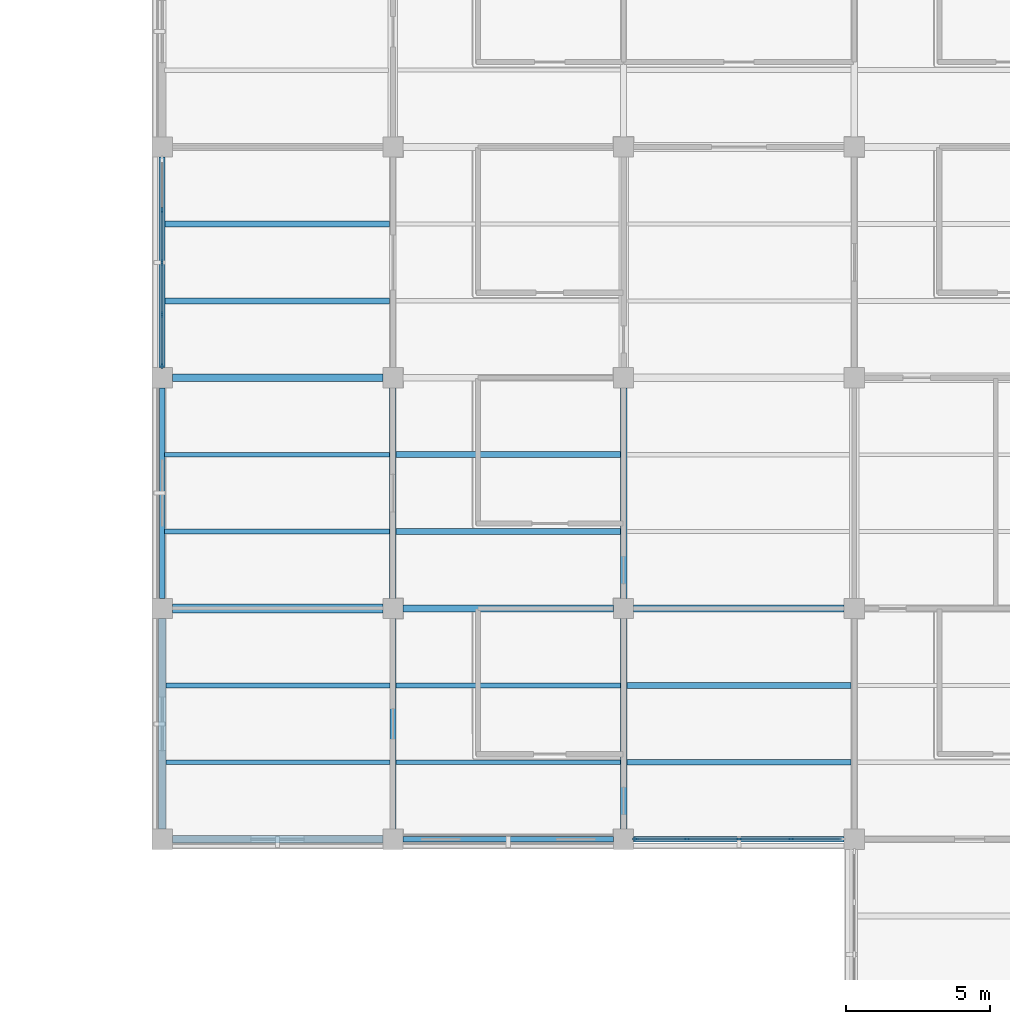
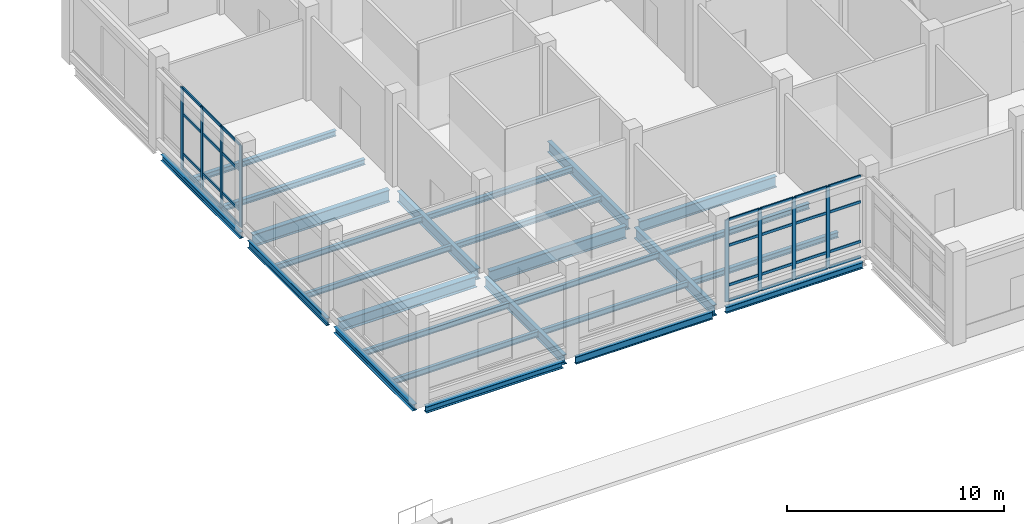
# One storey, part 33 of 105: 36 members, 26 beams, 2 elements without a shape of their own.
"""IFC4 building model written with IfcOpenShell, lengths in metres."""

from ifc_helpers import new_model, si_unit, derived_unit, direction, frame, origin, origin_2d, place, context, subcontext, project, spatial, rectangle, i_section, extrude, material, layer, layer_set, material_profile, profile_set, type_object, element, aggregate, save


model = new_model("IFC4")

# Units and contexts
model_context = context("Model", 3, precision=1e-05, world=origin(), true_north=direction((0.0, 1.0)))
body_context = subcontext(model_context, "Body", "Model", "MODEL_VIEW")
ifc_project = project(units=[si_unit("LENGTHUNIT", "METRE"), si_unit("AREAUNIT", "SQUARE_METRE"), si_unit("VOLUMEUNIT", "CUBIC_METRE"), si_unit("PLANEANGLEUNIT", "RADIAN"), si_unit("MASSUNIT", "GRAM", prefix="KILO"), derived_unit("THERMALTRANSMITTANCEUNIT", [(si_unit("MASSUNIT", "GRAM", prefix="KILO"), 1), (si_unit("TIMEUNIT", "SECOND"), -3), (si_unit("THERMODYNAMICTEMPERATUREUNIT", "KELVIN"), -1)])], contexts=[model_context])

# Site, building, storey
site_placement = place(None, origin())
site = spatial("IfcSite", under=ifc_project, at=site_placement, CompositionType="ELEMENT")
building_placement = place(site_placement, origin())
building = spatial("IfcBuilding", under=site, at=building_placement, Name="Veyamyaing Civic Hall", CompositionType="ELEMENT")
storey_placement = place(building_placement, origin())
storey = spatial("IfcBuildingStorey", under=building, at=storey_placement, Name="L00", CompositionType="ELEMENT", Elevation=0.0)

# Beams
ifc_material_1 = material(Name="Steel ASTM A992", Category="steel")
ifc_material_profile_1 = material_profile(ifc_material_1, i_section(OverallWidth=0.256103515625, OverallDepth=0.693115234375, WebThickness=0.014404296875, FlangeThickness=0.023681640625, FilletRadius=0.013916015625, at=origin_2d()), Name="W690X170")
ifc_profile_set_1 = profile_set([ifc_material_profile_1], Name="Steel ASTM A992")
beam_type_1 = type_object("IfcBeamType", Name="B-04", PredefinedType="BEAM", material=ifc_profile_set_1)
for number, where, z_axis, x_axis, name in (
    (1, (144.35009765625, 16.0, -0.611572265625), (1.0, 0.0, 0.0), (0.0, 1.0, 0.0), "Girder B-04 L00 Grid C 19-20"),
    (2, (136.35009765625, 24.0, -0.611572265625), (1.0, 0.0, 0.0), (0.0, 1.0, 0.0), "Girder B-04 L00 Grid D 18-19"),
):
    element("IfcBeam", number, at=place(storey_placement, frame(where, z_axis=z_axis, x_axis=x_axis)), inside=storey, type_object=beam_type_1, Name=name, PredefinedType="BEAM", context=body_context, shape_type="SweptSolid", body=[
        extrude(i_section(OverallWidth=0.256103515625, OverallDepth=0.693115234375, WebThickness=0.014404296875, FlangeThickness=0.023681640625, FilletRadius=0.013916015625, at=origin_2d()), origin(), (0.0, 0.0, 1.0), 7.2998046875),
    ])
ifc_material_profile_2 = material_profile(ifc_material_1, i_section(OverallWidth=0.22998046875, OverallDepth=0.616943359375, WebThickness=0.01318359375, FlangeThickness=0.022216796875, FilletRadius=0.012939453125, at=origin_2d()), Name="W610X140")
ifc_profile_set_2 = profile_set([ifc_material_profile_2], Name="Steel ASTM A992")
beam_type_2 = type_object("IfcBeamType", Name="B-05", PredefinedType="BEAM", material=ifc_profile_set_2)
for number, where, z_axis, x_axis, name in (
    (3, (152.35009765625, 16.0, -0.573486328125), (1.0, 0.0, 0.0), (0.0, 1.0, 0.0), "Girder B-05 L00 Grid C 20-21"),
    (4, (144.0, 16.35009765625, -0.573486328125), (0.0, 1.0, 0.0), (-1.0, 0.0, 0.0), "Girder B-05 L00 Grid 19 C-D"),
    (5, (152.0, 8.35009765625, -0.573486328125), (0.0, 1.0, 0.0), (-1.0, 0.0, 0.0), "Girder B-05 L00 Grid 20 B-C"),
):
    element("IfcBeam", number, at=place(storey_placement, frame(where, z_axis=z_axis, x_axis=x_axis)), inside=storey, type_object=beam_type_2, Name=name, PredefinedType="BEAM", context=body_context, shape_type="SweptSolid", body=[
        extrude(i_section(OverallWidth=0.22998046875, OverallDepth=0.616943359375, WebThickness=0.01318359375, FlangeThickness=0.022216796875, FilletRadius=0.012939453125, at=origin_2d()), origin(), (0.0, 0.0, 1.0), 7.2998046875),
    ])
ifc_material_profile_3 = material_profile(ifc_material_1, i_section(OverallWidth=0.22802734375, OverallDepth=0.60791015625, WebThickness=0.01123046875, FlangeThickness=0.017333984375, FilletRadius=0.012939453125, at=origin_2d()), Name="W610X113")
ifc_profile_set_3 = profile_set([ifc_material_profile_3], Name="Steel ASTM A992")
beam_type_3 = type_object("IfcBeamType", Name="B-06", PredefinedType="BEAM", material=ifc_profile_set_3)
beam_1_placement = place(storey_placement, frame((152.0, 16.35009765625, -0.569091796875), z_axis=(0.0, 1.0, 0.0), x_axis=(-1.0, 0.0, 0.0)))
element("IfcBeam", 6, at=beam_1_placement, inside=storey, type_object=beam_type_3, Name="Girder B-06 L00 Grid 20 C-D", PredefinedType="BEAM", context=body_context, shape_type="SweptSolid", body=[
    extrude(i_section(OverallWidth=0.22802734375, OverallDepth=0.60791015625, WebThickness=0.01123046875, FlangeThickness=0.017333984375, FilletRadius=0.012939453125, at=origin_2d()), origin(), (0.0, 0.0, 1.0), 7.2998046875),
])
ifc_material_profile_4 = material_profile(ifc_material_1, i_section(OverallWidth=0.179931640625, OverallDepth=0.4130859375, WebThickness=0.009765625, FlangeThickness=0.01611328125, FilletRadius=0.010009765625, at=origin_2d()), Name="W410X74")
ifc_profile_set_4 = profile_set([ifc_material_profile_4], Name="Steel ASTM A992")
beam_type_4 = type_object("IfcBeamType", Name="B-10", PredefinedType="SPANDREL", material=ifc_profile_set_4)
for number, where, z_axis, x_axis, name in (
    (7, (144.35009765625, 8.0, -0.471435546875), (1.0, 0.0, 0.0), (0.0, 1.0, 0.0), "Girder B-10 L00 Grid B 19-20"),
    (8, (136.0, 16.35009765625, -0.471435546875), (0.0, 1.0, 0.0), (-1.0, 0.0, 0.0), "Girder B-10 L00 Grid 18 C-D"),
):
    element("IfcBeam", number, at=place(storey_placement, frame(where, z_axis=z_axis, x_axis=x_axis)), inside=storey, type_object=beam_type_4, Name=name, PredefinedType="SPANDREL", context=body_context, shape_type="SweptSolid", body=[
        extrude(i_section(OverallWidth=0.179931640625, OverallDepth=0.4130859375, WebThickness=0.009765625, FlangeThickness=0.01611328125, FilletRadius=0.010009765625, at=origin_2d()), origin(), (0.0, 0.0, 1.0), 7.2998046875),
    ])
ifc_material_profile_5 = material_profile(ifc_material_1, i_section(OverallWidth=0.2041015625, OverallDepth=0.35009765625, WebThickness=0.0078125, FlangeThickness=0.01513671875, FilletRadius=0.010009765625, at=origin_2d()), Name="W360X72")
ifc_profile_set_5 = profile_set([ifc_material_profile_5], Name="Steel ASTM A992")
beam_type_5 = type_object("IfcBeamType", Name="B-11", PredefinedType="SPANDREL", material=ifc_profile_set_5)
for number, where, z_axis, x_axis, name in (
    (9, (152.35009765625, 8.0, -0.43994140625), (1.0, 0.0, 0.0), (0.0, 1.0, 0.0), "Girder B-11 L00 Grid B 20-21"),
    (10, (136.0, 24.35009765625, -0.43994140625), (0.0, 1.0, 0.0), (-1.0, 0.0, 0.0), "Girder B-11 L00 Grid 18 D-E"),
):
    element("IfcBeam", number, at=place(storey_placement, frame(where, z_axis=z_axis, x_axis=x_axis)), inside=storey, type_object=beam_type_5, Name=name, PredefinedType="SPANDREL", context=body_context, shape_type="SweptSolid", body=[
        extrude(i_section(OverallWidth=0.2041015625, OverallDepth=0.35009765625, WebThickness=0.0078125, FlangeThickness=0.01513671875, FilletRadius=0.010009765625, at=origin_2d()), origin(), (0.0, 0.0, 1.0), 7.2998046875),
    ])
ifc_material_profile_6 = material_profile(ifc_material_1, i_section(OverallWidth=0.324951171875, OverallDepth=0.615966796875, WebThickness=0.013916015625, FlangeThickness=0.021484375, FilletRadius=0.013916015625, at=origin_2d()), Name="W610X174")
ifc_profile_set_6 = profile_set([ifc_material_profile_6], Name="Steel ASTM A992")
beam_type_6 = type_object("IfcBeamType", Name="B-15", PredefinedType="BEAM", material=ifc_profile_set_6)
beam_2_placement = place(storey_placement, frame((136.35009765625, 16.0, -0.572998046875), z_axis=(1.0, 0.0, 0.0), x_axis=(0.0, 1.0, 0.0)))
element("IfcBeam", 11, at=beam_2_placement, inside=storey, type_object=beam_type_6, Name="Girder B-15 L00 Grid C 18-19", PredefinedType="BEAM", context=body_context, shape_type="SweptSolid", body=[
    extrude(i_section(OverallWidth=0.324951171875, OverallDepth=0.615966796875, WebThickness=0.013916015625, FlangeThickness=0.021484375, FilletRadius=0.013916015625, at=origin_2d()), origin(), (0.0, 0.0, 1.0), 7.2998046875),
])
ifc_material_profile_7 = material_profile(ifc_material_1, i_section(OverallWidth=0.214111328125, OverallDepth=0.549072265625, WebThickness=0.0146484375, FlangeThickness=0.023681640625, FilletRadius=0.011962890625, at=origin_2d()), Name="W530X138")
ifc_profile_set_7 = profile_set([ifc_material_profile_7], Name="Steel ASTM A992")
beam_type_7 = type_object("IfcBeamType", Name="B-16", PredefinedType="BEAM", material=ifc_profile_set_7)
beam_3_placement = place(storey_placement, frame((144.0, 8.35009765625, -0.53955078125), z_axis=(0.0, 1.0, 0.0), x_axis=(-1.0, 0.0, 0.0)))
element("IfcBeam", 12, at=beam_3_placement, inside=storey, type_object=beam_type_7, Name="Girder B-16 L00 Grid 19 B-C", PredefinedType="BEAM", context=body_context, shape_type="SweptSolid", body=[
    extrude(i_section(OverallWidth=0.214111328125, OverallDepth=0.549072265625, WebThickness=0.0146484375, FlangeThickness=0.023681640625, FilletRadius=0.011962890625, at=origin_2d()), origin(), (0.0, 0.0, 1.0), 7.2998046875),
])
ifc_material_profile_8 = material_profile(ifc_material_1, i_section(OverallWidth=0.25390625, OverallDepth=0.35302734375, WebThickness=0.009521484375, FlangeThickness=0.016357421875, FilletRadius=0.011962890625, at=origin_2d()), Name="W360X91")
ifc_profile_set_8 = profile_set([ifc_material_profile_8], Name="Steel ASTM A992")
beam_type_8 = type_object("IfcBeamType", Name="B-20", PredefinedType="SPANDREL", material=ifc_profile_set_8)
for number, where, z_axis, x_axis, name in (
    (13, (136.35009765625, 8.0, -0.44140625), (1.0, 0.0, 0.0), (0.0, 1.0, 0.0), "Girder B-20 L00 Grid B 18-19"),
    (14, (136.0, 8.35009765625, -0.44140625), (0.0, 1.0, 0.0), (-1.0, 0.0, 0.0), "Girder B-20 L00 Grid 18 B-C"),
):
    element("IfcBeam", number, at=place(storey_placement, frame(where, z_axis=z_axis, x_axis=x_axis)), inside=storey, type_object=beam_type_8, Name=name, PredefinedType="SPANDREL", context=body_context, shape_type="SweptSolid", body=[
        extrude(i_section(OverallWidth=0.25390625, OverallDepth=0.35302734375, WebThickness=0.009521484375, FlangeThickness=0.016357421875, FilletRadius=0.011962890625, at=origin_2d()), origin(), (0.0, 0.0, 1.0), 7.2998046875),
    ])

# Curtain wall, members
ifc_material_2 = material(Name="Anodised aluminium 6063-T6", Category="aluminium")
ifc_layer = layer(ifc_material_2, 0.199951171875, Name="Anodised aluminium 6063-T6")
ifc_layer_set = layer_set([ifc_layer], Name="Anodised aluminium 6063-T6")
curtain_wall_type = type_object("IfcCurtainWallType", Name="CW-10", PredefinedType="NOTDEFINED", material=ifc_layer_set)
curtain_wall_1_placement = place(storey_placement, origin())
curtain_wall_1 = element("IfcCurtainWall", 15, at=curtain_wall_1_placement, inside=storey, type_object=curtain_wall_type, Name="Unitized curtain wall CW-10 L00 W 18.4", PredefinedType="NOTDEFINED")
ifc_material_profile_9 = material_profile(ifc_material_2, rectangle(XDim=0.070068359375, YDim=0.199951171875, at=origin_2d()), Name="ALU-MUL-70X200")
ifc_profile_set_9 = profile_set([ifc_material_profile_9], Name="Anodised aluminium 6063-T6")
member_type_1 = type_object("IfcMemberType", Name="CWM-04", PredefinedType="MULLION", material=ifc_profile_set_9)
member_1_placement = place(storey_placement, frame((136.0, 24.4150390625, 0.0), z_axis=(0.0, 0.0, 1.0), x_axis=(-1.0, 0.0, 0.0)))
member_1 = element("IfcMember", 16, at=member_1_placement, type_object=member_type_1, Name="CW-10 mullion 1", PredefinedType="MULLION", context=body_context, shape_type="SweptSolid", body=[
    extrude(rectangle(XDim=0.070068359375, YDim=0.199951171875, at=origin_2d()), origin(), (0.0, 0.0, 1.0), 4.610107421875),
])
member_2_placement = place(storey_placement, frame((136.0, 26.18994140625, 0.0), z_axis=(0.0, 0.0, 1.0), x_axis=(-1.0, 0.0, 0.0)))
member_2 = element("IfcMember", 17, at=member_2_placement, type_object=member_type_1, Name="CW-10 mullion 2", PredefinedType="MULLION", context=body_context, shape_type="SweptSolid", body=[
    extrude(rectangle(XDim=0.070068359375, YDim=0.199951171875, at=origin_2d()), origin(), (0.0, 0.0, 1.0), 4.610107421875),
])
member_3_placement = place(storey_placement, frame((136.0, 28.0, 0.0), z_axis=(0.0, 0.0, 1.0), x_axis=(-1.0, 0.0, 0.0)))
member_3 = element("IfcMember", 18, at=member_3_placement, type_object=member_type_1, Name="CW-10 mullion 3", PredefinedType="MULLION", context=body_context, shape_type="SweptSolid", body=[
    extrude(rectangle(XDim=0.070068359375, YDim=0.199951171875, at=origin_2d()), origin(), (0.0, 0.0, 1.0), 4.610107421875),
])
member_4_placement = place(storey_placement, frame((136.0, 29.81005859375, 0.0), z_axis=(0.0, 0.0, 1.0), x_axis=(-1.0, 0.0, 0.0)))
member_4 = element("IfcMember", 19, at=member_4_placement, type_object=member_type_1, Name="CW-10 mullion 4", PredefinedType="MULLION", context=body_context, shape_type="SweptSolid", body=[
    extrude(rectangle(XDim=0.070068359375, YDim=0.199951171875, at=origin_2d()), origin(), (0.0, 0.0, 1.0), 4.610107421875),
])

curtain_wall_2_placement = place(storey_placement, origin())
curtain_wall_2 = element("IfcCurtainWall", 20, at=curtain_wall_2_placement, inside=storey, type_object=curtain_wall_type, Name="Unitized curtain wall CW-10 L00 S 20.2", PredefinedType="NOTDEFINED")
member_5_placement = place(storey_placement, frame((152.4150390625, 8.0, 0.0), z_axis=(0.0, 0.0, 1.0), x_axis=(0.0, 1.0, 0.0)))
member_5 = element("IfcMember", 21, at=member_5_placement, type_object=member_type_1, Name="CW-10 mullion 1", PredefinedType="MULLION", context=body_context, shape_type="SweptSolid", body=[
    extrude(rectangle(XDim=0.070068359375, YDim=0.199951171875, at=origin_2d()), origin(), (0.0, 0.0, 1.0), 4.610107421875),
])
member_6_placement = place(storey_placement, frame((154.18994140625, 8.0, 0.0), z_axis=(0.0, 0.0, 1.0), x_axis=(0.0, 1.0, 0.0)))
member_6 = element("IfcMember", 22, at=member_6_placement, type_object=member_type_1, Name="CW-10 mullion 2", PredefinedType="MULLION", context=body_context, shape_type="SweptSolid", body=[
    extrude(rectangle(XDim=0.070068359375, YDim=0.199951171875, at=origin_2d()), origin(), (0.0, 0.0, 1.0), 4.610107421875),
])
member_7_placement = place(storey_placement, frame((156.0, 8.0, 0.0), z_axis=(0.0, 0.0, 1.0), x_axis=(0.0, 1.0, 0.0)))
member_7 = element("IfcMember", 23, at=member_7_placement, type_object=member_type_1, Name="CW-10 mullion 3", PredefinedType="MULLION", context=body_context, shape_type="SweptSolid", body=[
    extrude(rectangle(XDim=0.070068359375, YDim=0.199951171875, at=origin_2d()), origin(), (0.0, 0.0, 1.0), 4.610107421875),
])
member_8_placement = place(storey_placement, frame((157.81005859375, 8.0, 0.0), z_axis=(0.0, 0.0, 1.0), x_axis=(0.0, 1.0, 0.0)))
member_8 = element("IfcMember", 24, at=member_8_placement, type_object=member_type_1, Name="CW-10 mullion 4", PredefinedType="MULLION", context=body_context, shape_type="SweptSolid", body=[
    extrude(rectangle(XDim=0.070068359375, YDim=0.199951171875, at=origin_2d()), origin(), (0.0, 0.0, 1.0), 4.610107421875),
])

# Member
ifc_material_profile_10 = material_profile(ifc_material_2, rectangle(XDim=0.070068359375, YDim=0.14990234375, at=origin_2d()), Name="ALU-TRN-70X150")
ifc_profile_set_10 = profile_set([ifc_material_profile_10], Name="Anodised aluminium 6063-T6")
member_type_2 = type_object("IfcMemberType", Name="CWT-04", PredefinedType="USERDEFINED", material=ifc_profile_set_10)
member_9_placement = place(storey_placement, frame((136.0, 24.449951171875, 0.034912109375), z_axis=(0.0, 1.0, 0.0), x_axis=(-1.0, 0.0, 0.0)))
member_9 = element("IfcMember", 25, at=member_9_placement, type_object=member_type_2, Name="CW-10 transom 1.1", ObjectType="TRANSOM", PredefinedType="USERDEFINED", context=body_context, shape_type="SweptSolid", body=[
    extrude(rectangle(XDim=0.070068359375, YDim=0.14990234375, at=origin_2d()), origin(), (0.0, 0.0, 1.0), 1.705078125),
])

member_10_placement = place(storey_placement, frame((136.0, 24.449951171875, 0.89990234375), z_axis=(0.0, 1.0, 0.0), x_axis=(-1.0, 0.0, 0.0)))
member_10 = element("IfcMember", 26, at=member_10_placement, type_object=member_type_2, Name="CW-10 transom 1.2", ObjectType="TRANSOM", PredefinedType="USERDEFINED", context=body_context, shape_type="SweptSolid", body=[
    extrude(rectangle(XDim=0.070068359375, YDim=0.14990234375, at=origin_2d()), origin(), (0.0, 0.0, 1.0), 1.705078125),
])

member_11_placement = place(storey_placement, frame((136.0, 24.449951171875, 3.134765625), z_axis=(0.0, 1.0, 0.0), x_axis=(-1.0, 0.0, 0.0)))
member_11 = element("IfcMember", 27, at=member_11_placement, type_object=member_type_2, Name="CW-10 transom 1.3", ObjectType="TRANSOM", PredefinedType="USERDEFINED", context=body_context, shape_type="SweptSolid", body=[
    extrude(rectangle(XDim=0.070068359375, YDim=0.14990234375, at=origin_2d()), origin(), (0.0, 0.0, 1.0), 1.705078125),
])

member_12_placement = place(storey_placement, frame((136.0, 24.449951171875, 4.574951171875), z_axis=(0.0, 1.0, 0.0), x_axis=(-1.0, 0.0, 0.0)))
member_12 = element("IfcMember", 28, at=member_12_placement, type_object=member_type_2, Name="CW-10 transom 1.4", ObjectType="TRANSOM", PredefinedType="USERDEFINED", context=body_context, shape_type="SweptSolid", body=[
    extrude(rectangle(XDim=0.070068359375, YDim=0.14990234375, at=origin_2d()), origin(), (0.0, 0.0, 1.0), 1.705078125),
])

member_13_placement = place(storey_placement, frame((136.0, 26.22509765625, 0.034912109375), z_axis=(0.0, 1.0, 0.0), x_axis=(-1.0, 0.0, 0.0)))
member_13 = element("IfcMember", 29, at=member_13_placement, type_object=member_type_2, Name="CW-10 transom 2.1", ObjectType="TRANSOM", PredefinedType="USERDEFINED", context=body_context, shape_type="SweptSolid", body=[
    extrude(rectangle(XDim=0.070068359375, YDim=0.14990234375, at=origin_2d()), origin(), (0.0, 0.0, 1.0), 1.739990234375),
])

member_14_placement = place(storey_placement, frame((136.0, 26.22509765625, 0.89990234375), z_axis=(0.0, 1.0, 0.0), x_axis=(-1.0, 0.0, 0.0)))
member_14 = element("IfcMember", 30, at=member_14_placement, type_object=member_type_2, Name="CW-10 transom 2.2", ObjectType="TRANSOM", PredefinedType="USERDEFINED", context=body_context, shape_type="SweptSolid", body=[
    extrude(rectangle(XDim=0.070068359375, YDim=0.14990234375, at=origin_2d()), origin(), (0.0, 0.0, 1.0), 1.739990234375),
])

member_15_placement = place(storey_placement, frame((136.0, 26.22509765625, 3.134765625), z_axis=(0.0, 1.0, 0.0), x_axis=(-1.0, 0.0, 0.0)))
member_15 = element("IfcMember", 31, at=member_15_placement, type_object=member_type_2, Name="CW-10 transom 2.3", ObjectType="TRANSOM", PredefinedType="USERDEFINED", context=body_context, shape_type="SweptSolid", body=[
    extrude(rectangle(XDim=0.070068359375, YDim=0.14990234375, at=origin_2d()), origin(), (0.0, 0.0, 1.0), 1.739990234375),
])

member_16_placement = place(storey_placement, frame((136.0, 26.22509765625, 4.574951171875), z_axis=(0.0, 1.0, 0.0), x_axis=(-1.0, 0.0, 0.0)))
member_16 = element("IfcMember", 32, at=member_16_placement, type_object=member_type_2, Name="CW-10 transom 2.4", ObjectType="TRANSOM", PredefinedType="USERDEFINED", context=body_context, shape_type="SweptSolid", body=[
    extrude(rectangle(XDim=0.070068359375, YDim=0.14990234375, at=origin_2d()), origin(), (0.0, 0.0, 1.0), 1.739990234375),
])

member_17_placement = place(storey_placement, frame((136.0, 28.034912109375, 0.034912109375), z_axis=(0.0, 1.0, 0.0), x_axis=(-1.0, 0.0, 0.0)))
member_17 = element("IfcMember", 33, at=member_17_placement, type_object=member_type_2, Name="CW-10 transom 3.1", ObjectType="TRANSOM", PredefinedType="USERDEFINED", context=body_context, shape_type="SweptSolid", body=[
    extrude(rectangle(XDim=0.070068359375, YDim=0.14990234375, at=origin_2d()), origin(), (0.0, 0.0, 1.0), 1.739990234375),
])

member_18_placement = place(storey_placement, frame((136.0, 28.034912109375, 0.89990234375), z_axis=(0.0, 1.0, 0.0), x_axis=(-1.0, 0.0, 0.0)))
member_18 = element("IfcMember", 34, at=member_18_placement, type_object=member_type_2, Name="CW-10 transom 3.2", ObjectType="TRANSOM", PredefinedType="USERDEFINED", context=body_context, shape_type="SweptSolid", body=[
    extrude(rectangle(XDim=0.070068359375, YDim=0.14990234375, at=origin_2d()), origin(), (0.0, 0.0, 1.0), 1.739990234375),
])

member_19_placement = place(storey_placement, frame((136.0, 28.034912109375, 3.134765625), z_axis=(0.0, 1.0, 0.0), x_axis=(-1.0, 0.0, 0.0)))
member_19 = element("IfcMember", 35, at=member_19_placement, type_object=member_type_2, Name="CW-10 transom 3.3", ObjectType="TRANSOM", PredefinedType="USERDEFINED", context=body_context, shape_type="SweptSolid", body=[
    extrude(rectangle(XDim=0.070068359375, YDim=0.14990234375, at=origin_2d()), origin(), (0.0, 0.0, 1.0), 1.739990234375),
])

member_20_placement = place(storey_placement, frame((136.0, 28.034912109375, 4.574951171875), z_axis=(0.0, 1.0, 0.0), x_axis=(-1.0, 0.0, 0.0)))
member_20 = element("IfcMember", 36, at=member_20_placement, type_object=member_type_2, Name="CW-10 transom 3.4", ObjectType="TRANSOM", PredefinedType="USERDEFINED", context=body_context, shape_type="SweptSolid", body=[
    extrude(rectangle(XDim=0.070068359375, YDim=0.14990234375, at=origin_2d()), origin(), (0.0, 0.0, 1.0), 1.739990234375),
])

aggregate(curtain_wall_1, [member_1, member_2, member_3, member_4, member_9, member_10, member_11, member_12, member_13, member_14, member_15, member_16, member_17, member_18, member_19, member_20])

member_21_placement = place(storey_placement, frame((152.449951171875, 8.0, 0.034912109375), z_axis=(1.0, 0.0, 0.0), x_axis=(0.0, 1.0, 0.0)))
member_21 = element("IfcMember", 37, at=member_21_placement, type_object=member_type_2, Name="CW-10 transom 1.1", ObjectType="TRANSOM", PredefinedType="USERDEFINED", context=body_context, shape_type="SweptSolid", body=[
    extrude(rectangle(XDim=0.070068359375, YDim=0.14990234375, at=origin_2d()), origin(), (0.0, 0.0, 1.0), 1.705078125),
])

member_22_placement = place(storey_placement, frame((152.449951171875, 8.0, 0.89990234375), z_axis=(1.0, 0.0, 0.0), x_axis=(0.0, 1.0, 0.0)))
member_22 = element("IfcMember", 38, at=member_22_placement, type_object=member_type_2, Name="CW-10 transom 1.2", ObjectType="TRANSOM", PredefinedType="USERDEFINED", context=body_context, shape_type="SweptSolid", body=[
    extrude(rectangle(XDim=0.070068359375, YDim=0.14990234375, at=origin_2d()), origin(), (0.0, 0.0, 1.0), 1.705078125),
])

member_23_placement = place(storey_placement, frame((152.449951171875, 8.0, 3.134765625), z_axis=(1.0, 0.0, 0.0), x_axis=(0.0, 1.0, 0.0)))
member_23 = element("IfcMember", 39, at=member_23_placement, type_object=member_type_2, Name="CW-10 transom 1.3", ObjectType="TRANSOM", PredefinedType="USERDEFINED", context=body_context, shape_type="SweptSolid", body=[
    extrude(rectangle(XDim=0.070068359375, YDim=0.14990234375, at=origin_2d()), origin(), (0.0, 0.0, 1.0), 1.705078125),
])

member_24_placement = place(storey_placement, frame((152.449951171875, 8.0, 4.574951171875), z_axis=(1.0, 0.0, 0.0), x_axis=(0.0, 1.0, 0.0)))
member_24 = element("IfcMember", 40, at=member_24_placement, type_object=member_type_2, Name="CW-10 transom 1.4", ObjectType="TRANSOM", PredefinedType="USERDEFINED", context=body_context, shape_type="SweptSolid", body=[
    extrude(rectangle(XDim=0.070068359375, YDim=0.14990234375, at=origin_2d()), origin(), (0.0, 0.0, 1.0), 1.705078125),
])

member_25_placement = place(storey_placement, frame((154.22509765625, 8.0, 0.034912109375), z_axis=(1.0, 0.0, 0.0), x_axis=(0.0, 1.0, 0.0)))
member_25 = element("IfcMember", 41, at=member_25_placement, type_object=member_type_2, Name="CW-10 transom 2.1", ObjectType="TRANSOM", PredefinedType="USERDEFINED", context=body_context, shape_type="SweptSolid", body=[
    extrude(rectangle(XDim=0.070068359375, YDim=0.14990234375, at=origin_2d()), origin(), (0.0, 0.0, 1.0), 1.739990234375),
])

member_26_placement = place(storey_placement, frame((154.22509765625, 8.0, 0.89990234375), z_axis=(1.0, 0.0, 0.0), x_axis=(0.0, 1.0, 0.0)))
member_26 = element("IfcMember", 42, at=member_26_placement, type_object=member_type_2, Name="CW-10 transom 2.2", ObjectType="TRANSOM", PredefinedType="USERDEFINED", context=body_context, shape_type="SweptSolid", body=[
    extrude(rectangle(XDim=0.070068359375, YDim=0.14990234375, at=origin_2d()), origin(), (0.0, 0.0, 1.0), 1.739990234375),
])

member_27_placement = place(storey_placement, frame((154.22509765625, 8.0, 3.134765625), z_axis=(1.0, 0.0, 0.0), x_axis=(0.0, 1.0, 0.0)))
member_27 = element("IfcMember", 43, at=member_27_placement, type_object=member_type_2, Name="CW-10 transom 2.3", ObjectType="TRANSOM", PredefinedType="USERDEFINED", context=body_context, shape_type="SweptSolid", body=[
    extrude(rectangle(XDim=0.070068359375, YDim=0.14990234375, at=origin_2d()), origin(), (0.0, 0.0, 1.0), 1.739990234375),
])

member_28_placement = place(storey_placement, frame((154.22509765625, 8.0, 4.574951171875), z_axis=(1.0, 0.0, 0.0), x_axis=(0.0, 1.0, 0.0)))
member_28 = element("IfcMember", 44, at=member_28_placement, type_object=member_type_2, Name="CW-10 transom 2.4", ObjectType="TRANSOM", PredefinedType="USERDEFINED", context=body_context, shape_type="SweptSolid", body=[
    extrude(rectangle(XDim=0.070068359375, YDim=0.14990234375, at=origin_2d()), origin(), (0.0, 0.0, 1.0), 1.739990234375),
])

member_29_placement = place(storey_placement, frame((156.034912109375, 8.0, 0.034912109375), z_axis=(1.0, 0.0, 0.0), x_axis=(0.0, 1.0, 0.0)))
member_29 = element("IfcMember", 45, at=member_29_placement, type_object=member_type_2, Name="CW-10 transom 3.1", ObjectType="TRANSOM", PredefinedType="USERDEFINED", context=body_context, shape_type="SweptSolid", body=[
    extrude(rectangle(XDim=0.070068359375, YDim=0.14990234375, at=origin_2d()), origin(), (0.0, 0.0, 1.0), 1.739990234375),
])

member_30_placement = place(storey_placement, frame((156.034912109375, 8.0, 0.89990234375), z_axis=(1.0, 0.0, 0.0), x_axis=(0.0, 1.0, 0.0)))
member_30 = element("IfcMember", 46, at=member_30_placement, type_object=member_type_2, Name="CW-10 transom 3.2", ObjectType="TRANSOM", PredefinedType="USERDEFINED", context=body_context, shape_type="SweptSolid", body=[
    extrude(rectangle(XDim=0.070068359375, YDim=0.14990234375, at=origin_2d()), origin(), (0.0, 0.0, 1.0), 1.739990234375),
])

member_31_placement = place(storey_placement, frame((156.034912109375, 8.0, 3.134765625), z_axis=(1.0, 0.0, 0.0), x_axis=(0.0, 1.0, 0.0)))
member_31 = element("IfcMember", 47, at=member_31_placement, type_object=member_type_2, Name="CW-10 transom 3.3", ObjectType="TRANSOM", PredefinedType="USERDEFINED", context=body_context, shape_type="SweptSolid", body=[
    extrude(rectangle(XDim=0.070068359375, YDim=0.14990234375, at=origin_2d()), origin(), (0.0, 0.0, 1.0), 1.739990234375),
])

member_32_placement = place(storey_placement, frame((156.034912109375, 8.0, 4.574951171875), z_axis=(1.0, 0.0, 0.0), x_axis=(0.0, 1.0, 0.0)))
member_32 = element("IfcMember", 48, at=member_32_placement, type_object=member_type_2, Name="CW-10 transom 3.4", ObjectType="TRANSOM", PredefinedType="USERDEFINED", context=body_context, shape_type="SweptSolid", body=[
    extrude(rectangle(XDim=0.070068359375, YDim=0.14990234375, at=origin_2d()), origin(), (0.0, 0.0, 1.0), 1.739990234375),
])

member_33_placement = place(storey_placement, frame((157.844970703125, 8.0, 0.034912109375), z_axis=(1.0, 0.0, 0.0), x_axis=(0.0, 1.0, 0.0)))
member_33 = element("IfcMember", 49, at=member_33_placement, type_object=member_type_2, Name="CW-10 transom 4.1", ObjectType="TRANSOM", PredefinedType="USERDEFINED", context=body_context, shape_type="SweptSolid", body=[
    extrude(rectangle(XDim=0.070068359375, YDim=0.14990234375, at=origin_2d()), origin(), (0.0, 0.0, 1.0), 1.705078125),
])

member_34_placement = place(storey_placement, frame((157.844970703125, 8.0, 0.89990234375), z_axis=(1.0, 0.0, 0.0), x_axis=(0.0, 1.0, 0.0)))
member_34 = element("IfcMember", 50, at=member_34_placement, type_object=member_type_2, Name="CW-10 transom 4.2", ObjectType="TRANSOM", PredefinedType="USERDEFINED", context=body_context, shape_type="SweptSolid", body=[
    extrude(rectangle(XDim=0.070068359375, YDim=0.14990234375, at=origin_2d()), origin(), (0.0, 0.0, 1.0), 1.705078125),
])

member_35_placement = place(storey_placement, frame((157.844970703125, 8.0, 3.134765625), z_axis=(1.0, 0.0, 0.0), x_axis=(0.0, 1.0, 0.0)))
member_35 = element("IfcMember", 51, at=member_35_placement, type_object=member_type_2, Name="CW-10 transom 4.3", ObjectType="TRANSOM", PredefinedType="USERDEFINED", context=body_context, shape_type="SweptSolid", body=[
    extrude(rectangle(XDim=0.070068359375, YDim=0.14990234375, at=origin_2d()), origin(), (0.0, 0.0, 1.0), 1.705078125),
])

member_36_placement = place(storey_placement, frame((157.844970703125, 8.0, 4.574951171875), z_axis=(1.0, 0.0, 0.0), x_axis=(0.0, 1.0, 0.0)))
member_36 = element("IfcMember", 52, at=member_36_placement, type_object=member_type_2, Name="CW-10 transom 4.4", ObjectType="TRANSOM", PredefinedType="USERDEFINED", context=body_context, shape_type="SweptSolid", body=[
    extrude(rectangle(XDim=0.070068359375, YDim=0.14990234375, at=origin_2d()), origin(), (0.0, 0.0, 1.0), 1.705078125),
])

aggregate(curtain_wall_2, [member_5, member_6, member_7, member_8, member_21, member_22, member_23, member_24, member_25, member_26, member_27, member_28, member_29, member_30, member_31, member_32, member_33, member_34, member_35, member_36])

# Beams
ifc_material_profile_11 = material_profile(ifc_material_1, i_section(OverallWidth=0.1669921875, OverallDepth=0.318115234375, WebThickness=0.007568359375, FlangeThickness=0.01318359375, FilletRadius=0.010009765625, at=origin_2d()), Name="W310X52")
ifc_profile_set_11 = profile_set([ifc_material_profile_11], Name="Steel ASTM A992")
beam_type_9 = type_object("IfcBeamType", Name="J-04", PredefinedType="JOIST", material=ifc_profile_set_11)
for number, where, z_axis, x_axis, name in (
    (53, (136.125, 10.666748046875, -0.424072265625), (1.0, 0.0, 0.0), (0.0, 1.0, 0.0), "Composite floor joist J-04 L00 18.2.1"),
    (54, (136.125, 13.333251953125, -0.424072265625), (1.0, 0.0, 0.0), (0.0, 1.0, 0.0), "Composite floor joist J-04 L00 18.2.2"),
):
    element("IfcBeam", number, at=place(storey_placement, frame(where, z_axis=z_axis, x_axis=x_axis)), inside=storey, type_object=beam_type_9, Name=name, PredefinedType="JOIST", context=body_context, shape_type="SweptSolid", body=[
        extrude(i_section(OverallWidth=0.1669921875, OverallDepth=0.318115234375, WebThickness=0.007568359375, FlangeThickness=0.01318359375, FilletRadius=0.010009765625, at=origin_2d()), origin(), (0.0, 0.0, 1.0), 7.77001953125),
    ])
ifc_material_profile_12 = material_profile(ifc_material_1, i_section(OverallWidth=0.1650390625, OverallDepth=0.31005859375, WebThickness=0.005859375, FlangeThickness=0.009765625, FilletRadius=0.010009765625, at=origin_2d()), Name="W310X39")
ifc_profile_set_12 = profile_set([ifc_material_profile_12], Name="Steel ASTM A992")
beam_type_10 = type_object("IfcBeamType", Name="J-05", PredefinedType="JOIST", material=ifc_profile_set_12)
for number, where, z_axis, x_axis, name in (
    (55, (136.087890625, 18.666748046875, -0.419921875), (1.0, 0.0, 0.0), (0.0, 1.0, 0.0), "Composite floor joist J-05 L00 18.3.1"),
    (56, (136.087890625, 21.333251953125, -0.419921875), (1.0, 0.0, 0.0), (0.0, 1.0, 0.0), "Composite floor joist J-05 L00 18.3.2"),
):
    element("IfcBeam", number, at=place(storey_placement, frame(where, z_axis=z_axis, x_axis=x_axis)), inside=storey, type_object=beam_type_10, Name=name, PredefinedType="JOIST", context=body_context, shape_type="SweptSolid", body=[
        extrude(i_section(OverallWidth=0.1650390625, OverallDepth=0.31005859375, WebThickness=0.005859375, FlangeThickness=0.009765625, FilletRadius=0.010009765625, at=origin_2d()), origin(), (0.0, 0.0, 1.0), 7.799072265625),
    ])
for number, where, z_axis, x_axis, name in (
    (57, (144.10498046875, 10.666748046875, -0.419921875), (1.0, 0.0, 0.0), (0.0, 1.0, 0.0), "Composite floor joist J-05 L00 19.2.1"),
    (58, (144.10498046875, 13.333251953125, -0.419921875), (1.0, 0.0, 0.0), (0.0, 1.0, 0.0), "Composite floor joist J-05 L00 19.2.2"),
):
    element("IfcBeam", number, at=place(storey_placement, frame(where, z_axis=z_axis, x_axis=x_axis)), inside=storey, type_object=beam_type_10, Name=name, PredefinedType="JOIST", context=body_context, shape_type="SweptSolid", body=[
        extrude(i_section(OverallWidth=0.1650390625, OverallDepth=0.31005859375, WebThickness=0.005859375, FlangeThickness=0.009765625, FilletRadius=0.010009765625, at=origin_2d()), origin(), (0.0, 0.0, 1.0), 7.781982421875),
    ])
ifc_material_profile_13 = material_profile(ifc_material_1, i_section(OverallWidth=0.2041015625, OverallDepth=0.305908203125, WebThickness=0.008544921875, FlangeThickness=0.0146484375, FilletRadius=0.010009765625, at=origin_2d()), Name="W310X67")
ifc_profile_set_13 = profile_set([ifc_material_profile_13], Name="Steel ASTM A992")
beam_type_11 = type_object("IfcBeamType", Name="J-06", PredefinedType="JOIST", material=ifc_profile_set_13)
for number, where, z_axis, x_axis, name in (
    (59, (136.10009765625, 26.666748046875, -0.41796875), (1.0, 0.0, 0.0), (0.0, 1.0, 0.0), "Composite floor joist J-06 L00 18.4.1"),
    (60, (136.10009765625, 29.333251953125, -0.41796875), (1.0, 0.0, 0.0), (0.0, 1.0, 0.0), "Composite floor joist J-06 L00 18.4.2"),
):
    element("IfcBeam", number, at=place(storey_placement, frame(where, z_axis=z_axis, x_axis=x_axis)), inside=storey, type_object=beam_type_11, Name=name, PredefinedType="JOIST", context=body_context, shape_type="SweptSolid", body=[
        extrude(i_section(OverallWidth=0.2041015625, OverallDepth=0.305908203125, WebThickness=0.008544921875, FlangeThickness=0.0146484375, FilletRadius=0.010009765625, at=origin_2d()), origin(), (0.0, 0.0, 1.0), 7.787841796875),
    ])
for number, where, z_axis, x_axis, name in (
    (61, (144.113037109375, 18.666748046875, -0.41796875), (1.0, 0.0, 0.0), (0.0, 1.0, 0.0), "Composite floor joist J-06 L00 19.3.1"),
    (62, (144.113037109375, 21.333251953125, -0.41796875), (1.0, 0.0, 0.0), (0.0, 1.0, 0.0), "Composite floor joist J-06 L00 19.3.2"),
    (63, (152.113037109375, 10.666748046875, -0.41796875), (1.0, 0.0, 0.0), (0.0, 1.0, 0.0), "Composite floor joist J-06 L00 20.2.1"),
    (64, (152.113037109375, 13.333251953125, -0.41796875), (1.0, 0.0, 0.0), (0.0, 1.0, 0.0), "Composite floor joist J-06 L00 20.2.2"),
):
    element("IfcBeam", number, at=place(storey_placement, frame(where, z_axis=z_axis, x_axis=x_axis)), inside=storey, type_object=beam_type_11, Name=name, PredefinedType="JOIST", context=body_context, shape_type="SweptSolid", body=[
        extrude(i_section(OverallWidth=0.2041015625, OverallDepth=0.305908203125, WebThickness=0.008544921875, FlangeThickness=0.0146484375, FilletRadius=0.010009765625, at=origin_2d()), origin(), (0.0, 0.0, 1.0), 7.77490234375),
    ])

save(model, "model.ifc")
